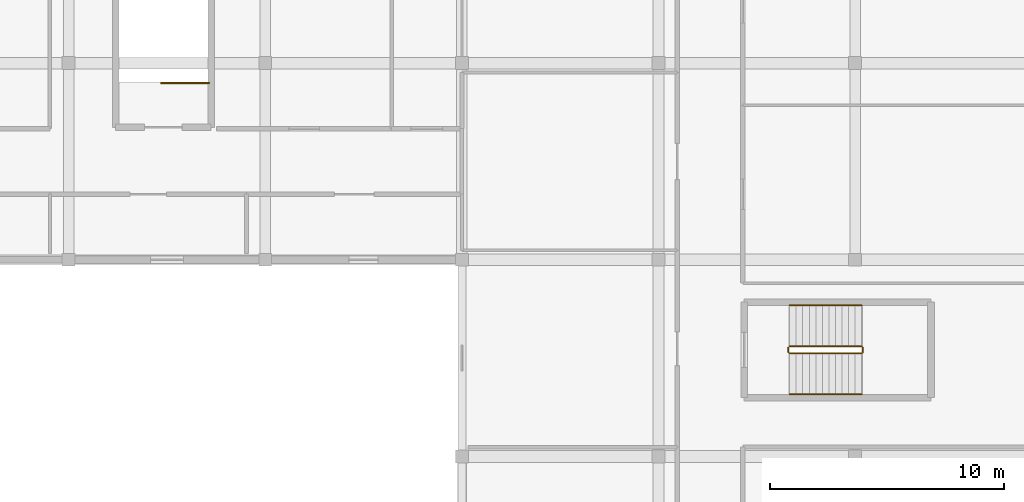
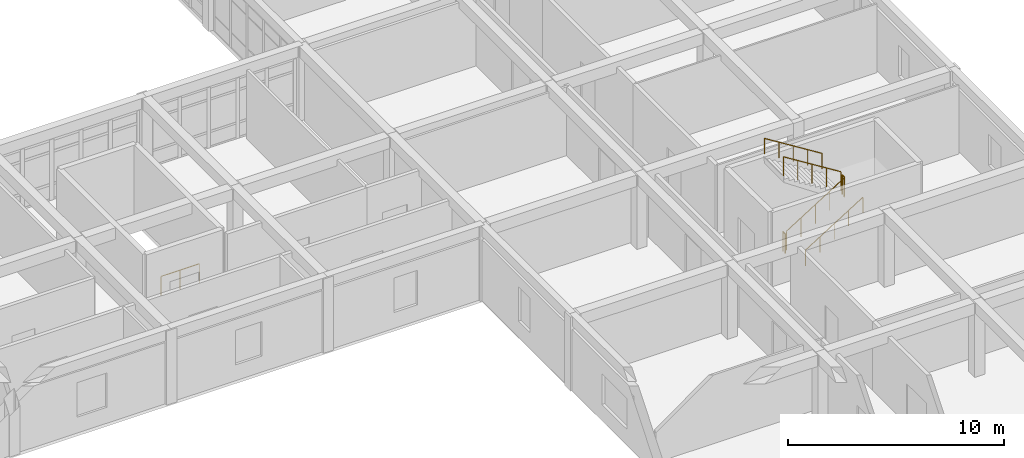
# One storey, part 72 of 77: 7 railings.
"""IFC4 building model written with IfcOpenShell, lengths in metres."""

from ifc_helpers import new_model, si_unit, direction, frame, origin, origin_2d, place, context, subcontext, project, spatial, circle, extrude, material, type_object, element, save


model = new_model("IFC4")

# Units and contexts
model_context = context("Model", 3, precision=1e-05, world=origin(), true_north=direction((0.0, 1.0)))
body_context = subcontext(model_context, "Body", "Model", "MODEL_VIEW")
ifc_project = project(units=[si_unit("LENGTHUNIT", "METRE"), si_unit("AREAUNIT", "SQUARE_METRE"), si_unit("VOLUMEUNIT", "CUBIC_METRE"), si_unit("PLANEANGLEUNIT", "RADIAN"), si_unit("MASSUNIT", "GRAM", prefix="KILO")], contexts=[model_context])

# Site, building, storey
site_placement = place(None, origin())
site = spatial("IfcSite", under=ifc_project, at=site_placement, CompositionType="ELEMENT")
building_placement = place(site_placement, origin())
building = spatial("IfcBuilding", under=site, at=building_placement, Name="Varncliffe General Hospital", CompositionType="ELEMENT")
storey_placement = place(building_placement, frame((0.0, 0.0, 16.199951171875)))
storey = spatial("IfcBuildingStorey", under=building, at=storey_placement, Name="L03", CompositionType="ELEMENT", Elevation=16.199951171875)

# Railings
ifc_material = material(Name="Powder-coated hospital steel guardrail and handrail", Category="steel")
railing_type_1 = type_object("IfcRailingType", Name="Stair and Ramp Handrail HR46", PredefinedType="HANDRAIL", material=ifc_material)
railing_1_placement = place(storey_placement, frame((165.199951171875, 18.25, 0.35400390625)))
element("IfcRailing", 1, at=railing_1_placement, inside=storey, type_object=railing_type_1, Name="L03 ST11 stair handrail 1", PredefinedType="HANDRAIL", context=body_context, shape_type="SweptSolid", body=[
    extrude(circle(Radius=0.02392578125, at=origin_2d()), frame((0.0, 0.0, 0.8759765625), z_axis=(0.847998304005, 0.0, 0.529998940003), x_axis=(0.0, 1.0, 0.0)), (0.0, 0.0, 1.0), 3.632080078125),
    extrude(circle(Radius=0.02099609375, at=origin_2d()), origin(), (0.0, 0.0, 1.0), 0.851806640625),
    extrude(circle(Radius=0.02099609375, at=origin_2d()), frame((0.77001953125, 0.0, 0.481201171875)), (0.0, 0.0, 1.0), 0.851806640625),
    extrude(circle(Radius=0.02099609375, at=origin_2d()), frame((1.5400390625, 0.0, 0.96240234375)), (0.0, 0.0, 1.0), 0.851806640625),
    extrude(circle(Radius=0.02099609375, at=origin_2d()), frame((2.31005859375, 0.0, 1.44384765625)), (0.0, 0.0, 1.0), 0.851806640625),
    extrude(circle(Radius=0.02099609375, at=origin_2d()), frame((3.080078125, 0.0, 1.925048828125)), (0.0, 0.0, 1.0), 0.851806640625),
])
railing_2_placement = place(storey_placement, frame((168.280029296875, 22.050048828125, 2.4541015625)))
element("IfcRailing", 2, at=railing_2_placement, inside=storey, type_object=railing_type_1, Name="L03 ST11 stair handrail 2", PredefinedType="HANDRAIL", context=body_context, shape_type="SweptSolid", body=[
    extrude(circle(Radius=0.02392578125, at=origin_2d()), frame((0.0, 0.0, 0.8759765625), z_axis=(-0.847998304005, 0.0, 0.529998940003), x_axis=(0.0, -1.0, 0.0)), (0.0, 0.0, 1.0), 3.632080078125),
    extrude(circle(Radius=0.02099609375, at=origin_2d()), origin(), (0.0, 0.0, 1.0), 0.851806640625),
    extrude(circle(Radius=0.02099609375, at=origin_2d()), frame((-0.77001953125, 0.0, 0.481201171875)), (0.0, 0.0, 1.0), 0.851806640625),
    extrude(circle(Radius=0.02099609375, at=origin_2d()), frame((-1.5400390625, 0.0, 0.96240234375)), (0.0, 0.0, 1.0), 0.851806640625),
    extrude(circle(Radius=0.02099609375, at=origin_2d()), frame((-2.31005859375, 0.0, 1.44384765625)), (0.0, 0.0, 1.0), 0.851806640625),
    extrude(circle(Radius=0.02099609375, at=origin_2d()), frame((-3.080078125, 0.0, 1.925048828125)), (0.0, 0.0, 1.0), 0.851806640625),
])
railing_type_2 = type_object("IfcRailingType", Name="Stairwell Guardrail SG49", PredefinedType="GUARDRAIL", material=ifc_material)
railing_3_placement = place(storey_placement, frame((165.199951171875, 20.0, 0.175048828125)))
element("IfcRailing", 3, at=railing_3_placement, inside=storey, type_object=railing_type_2, Name="L03 ST11 stair guard 1", PredefinedType="GUARDRAIL", context=body_context, shape_type="SweptSolid", body=[
    extrude(circle(Radius=0.02392578125, at=origin_2d()), frame((0.0, 0.0, 1.076171875), z_axis=(0.847998304005, 0.0, 0.529998940003), x_axis=(0.0, 1.0, 0.0)), (0.0, 0.0, 1.0), 3.632080078125),
    extrude(circle(Radius=0.02099609375, at=origin_2d()), origin(), (0.0, 0.0, 1.0), 1.052001953125),
    extrude(circle(Radius=0.02099609375, at=origin_2d()), frame((0.77001953125, 0.0, 0.481201171875)), (0.0, 0.0, 1.0), 1.052001953125),
    extrude(circle(Radius=0.02099609375, at=origin_2d()), frame((1.5400390625, 0.0, 0.96240234375)), (0.0, 0.0, 1.0), 1.052001953125),
    extrude(circle(Radius=0.02099609375, at=origin_2d()), frame((2.31005859375, 0.0, 1.44384765625)), (0.0, 0.0, 1.0), 1.052001953125),
    extrude(circle(Radius=0.02099609375, at=origin_2d()), frame((3.080078125, 0.0, 1.925048828125)), (0.0, 0.0, 1.0), 1.052001953125),
])
railing_4_placement = place(storey_placement, frame((168.330078125, 20.050048828125, 2.10009765625)))
element("IfcRailing", 4, at=railing_4_placement, inside=storey, type_object=railing_type_2, Name="L03 ST11 stair guard 2", PredefinedType="GUARDRAIL", context=body_context, shape_type="SweptSolid", body=[
    extrude(circle(Radius=0.02392578125, at=origin_2d()), frame((0.0, 0.0, 1.076171875), z_axis=(0.0, 1.0, 0.0), x_axis=(-1.0, 0.0, 0.0)), (0.0, 0.0, 1.0), 0.199951171875),
    extrude(circle(Radius=0.02099609375, at=origin_2d()), origin(), (0.0, 0.0, 1.0), 1.052001953125),
    extrude(circle(Radius=0.02099609375, at=origin_2d()), frame((0.0, 0.199951171875, 0.0)), (0.0, 0.0, 1.0), 1.052001953125),
])
railing_5_placement = place(storey_placement, frame((168.280029296875, 20.300048828125, 2.275146484375)))
element("IfcRailing", 5, at=railing_5_placement, inside=storey, type_object=railing_type_2, Name="L03 ST11 stair guard 3", PredefinedType="GUARDRAIL", context=body_context, shape_type="SweptSolid", body=[
    extrude(circle(Radius=0.02392578125, at=origin_2d()), frame((0.0, 0.0, 1.076171875), z_axis=(-0.848028513186, 0.0, 0.529950602248), x_axis=(0.0, -1.0, 0.0)), (0.0, 0.0, 1.0), 3.632080078125),
    extrude(circle(Radius=0.02099609375, at=origin_2d()), origin(), (0.0, 0.0, 1.0), 1.052001953125),
    extrude(circle(Radius=0.02099609375, at=origin_2d()), frame((-0.77001953125, 0.0, 0.481201171875)), (0.0, 0.0, 1.0), 1.052001953125),
    extrude(circle(Radius=0.02099609375, at=origin_2d()), frame((-1.5400390625, 0.0, 0.96240234375)), (0.0, 0.0, 1.0), 1.052001953125),
    extrude(circle(Radius=0.02099609375, at=origin_2d()), frame((-2.31005859375, 0.0, 1.443603515625)), (0.0, 0.0, 1.0), 1.052001953125),
    extrude(circle(Radius=0.02099609375, at=origin_2d()), frame((-3.080078125, 0.0, 1.9248046875)), (0.0, 0.0, 1.0), 1.052001953125),
])
railing_6_placement = place(storey_placement, frame((165.14990234375, 20.050048828125, 0.0)))
element("IfcRailing", 6, at=railing_6_placement, inside=storey, type_object=railing_type_2, Name="L03 ST11 stair guard 4", PredefinedType="GUARDRAIL", context=body_context, shape_type="SweptSolid", body=[
    extrude(circle(Radius=0.02392578125, at=origin_2d()), frame((0.0, 0.0, 1.076171875), z_axis=(0.0, 1.0, 0.0), x_axis=(-1.0, 0.0, 0.0)), (0.0, 0.0, 1.0), 0.199951171875),
    extrude(circle(Radius=0.02099609375, at=origin_2d()), origin(), (0.0, 0.0, 1.0), 1.052001953125),
    extrude(circle(Radius=0.02099609375, at=origin_2d()), frame((0.0, 0.199951171875, 0.0)), (0.0, 0.0, 1.0), 1.052001953125),
])
railing_7_placement = place(storey_placement, frame((140.39990234375, 31.550048828125, 0.0)))
element("IfcRailing", 7, at=railing_7_placement, inside=storey, type_object=railing_type_2, Name="L03 ST15 top well guard 1", PredefinedType="GUARDRAIL", context=body_context, shape_type="SweptSolid", body=[
    extrude(circle(Radius=0.02392578125, at=origin_2d()), frame((0.0, 0.0, 1.076171875), z_axis=(-1.0, 0.0, 0.0), x_axis=(0.0, -1.0, 0.0)), (0.0, 0.0, 1.0), 2.0498046875),
    extrude(circle(Radius=0.02099609375, at=origin_2d()), origin(), (0.0, 0.0, 1.0), 1.052001953125),
    extrude(circle(Radius=0.02099609375, at=origin_2d()), frame((-1.02490234375, 0.0, 0.0)), (0.0, 0.0, 1.0), 1.052001953125),
    extrude(circle(Radius=0.02099609375, at=origin_2d()), frame((-2.0498046875, 0.0, 0.0)), (0.0, 0.0, 1.0), 1.052001953125),
])

save(model, "model.ifc")
